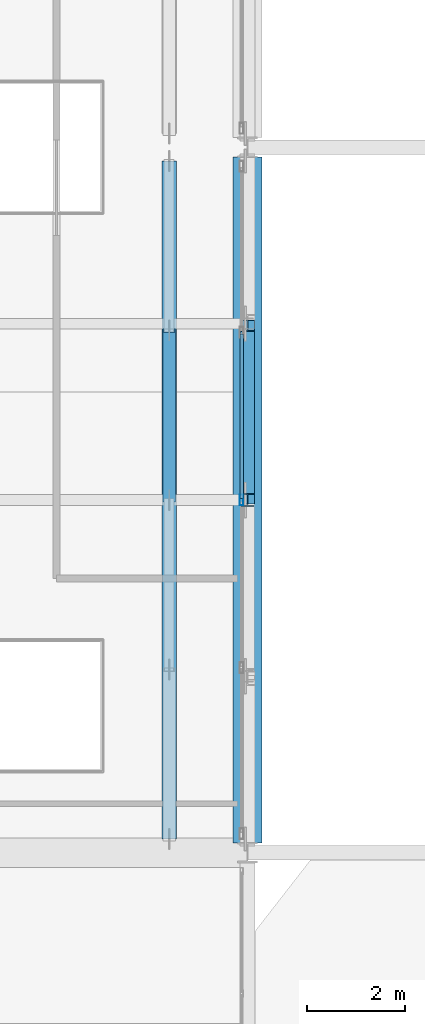
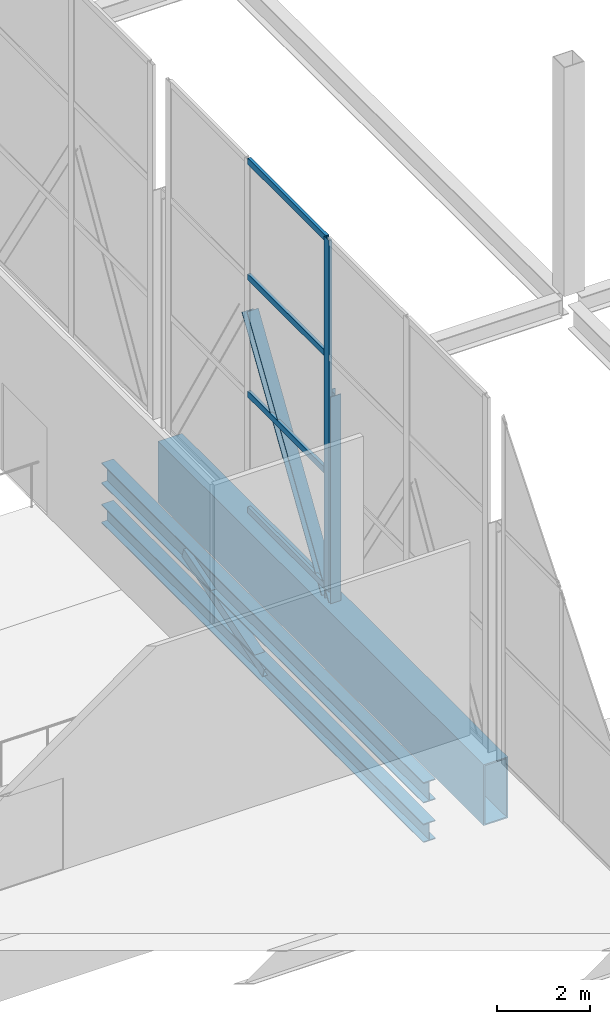
# One storey, part 56 of 191: 8 members, 3 beams, 1 element without a shape of its own.
"""IFC4 building model written with IfcOpenShell, lengths in metres."""

from ifc_helpers import new_model, si_unit, direction, frame, origin, origin_2d, place, context, subcontext, project, spatial, hollow_rectangle, i_section, extrude, material, layer, layer_set, material_profile, profile_set, type_object, element, aggregate, save


model = new_model("IFC4")

# Units and contexts
model_context = context("Model", 3, precision=1e-05, world=origin(), true_north=direction((0.0, 1.0)))
body_context = subcontext(model_context, "Body", "Model", "MODEL_VIEW")
ifc_project = project(units=[si_unit("LENGTHUNIT", "METRE"), si_unit("AREAUNIT", "SQUARE_METRE"), si_unit("VOLUMEUNIT", "CUBIC_METRE"), si_unit("PLANEANGLEUNIT", "RADIAN"), si_unit("MASSUNIT", "GRAM", prefix="KILO")], contexts=[model_context])

# Site, building, storey
site_placement = place(None, origin())
site = spatial("IfcSite", under=ifc_project, at=site_placement, CompositionType="ELEMENT")
building_placement = place(site_placement, origin())
building = spatial("IfcBuilding", under=site, at=building_placement, Name="Tamarisk Ironworks Central Station", CompositionType="ELEMENT")
storey_placement = place(building_placement, frame((0.0, 0.0, 6.60009765625)))
storey = spatial("IfcBuildingStorey", under=building, at=storey_placement, Name="L01", CompositionType="ELEMENT", Elevation=6.60009765625)

# Beams
ifc_material_1 = material(Name="Structural steel S355J2", Category="steel")
ifc_material_profile_1 = material_profile(ifc_material_1, i_section(OverallWidth=0.300048828125, OverallDepth=0.5400390625, WebThickness=0.012451171875, FlangeThickness=0.02392578125, at=origin_2d()), Name="HEA 550")
ifc_profile_set_1 = profile_set([ifc_material_profile_1], Name="Structural steel S355J2")
beam_type_1 = type_object("IfcBeamType", Name="BM-G04", PredefinedType="BEAM", material=ifc_profile_set_1)
beam_1_placement = place(storey_placement, frame((106.39990234375, 21.8798828125, -0.580078125), z_axis=(0.0, 1.0, 0.0), x_axis=(-1.0, 0.0, 0.0)))
element("IfcBeam", 1, at=beam_1_placement, inside=storey, type_object=beam_type_1, Name="Bridge deck transfer stiffening chord 186", PredefinedType="BEAM", context=body_context, shape_type="SweptSolid", body=[
    extrude(i_section(OverallWidth=0.300048828125, OverallDepth=0.5400390625, WebThickness=0.012451171875, FlangeThickness=0.02392578125, at=origin_2d()), origin(), (0.0, 0.0, 1.0), 13.840087890625),
])
ifc_material_profile_2 = material_profile(ifc_material_1, i_section(OverallWidth=0.300048828125, OverallDepth=0.489990234375, WebThickness=0.011962890625, FlangeThickness=0.02294921875, at=origin_2d()), Name="HEA 500")
ifc_profile_set_2 = profile_set([ifc_material_profile_2], Name="Structural steel S355J2")
beam_type_2 = type_object("IfcBeamType", Name="BM-G05", PredefinedType="BEAM", material=ifc_profile_set_2)
beam_2_placement = place(storey_placement, frame((106.39990234375, 21.8798828125, -1.64013671875), z_axis=(0.0, 1.0, 0.0), x_axis=(-1.0, 0.0, 0.0)))
element("IfcBeam", 2, at=beam_2_placement, inside=storey, type_object=beam_type_2, Name="Bridge deck transfer stiffening chord 185", PredefinedType="BEAM", context=body_context, shape_type="SweptSolid", body=[
    extrude(i_section(OverallWidth=0.300048828125, OverallDepth=0.489990234375, WebThickness=0.011962890625, FlangeThickness=0.02294921875, at=origin_2d()), origin(), (0.0, 0.0, 1.0), 13.840087890625),
])
ifc_material_profile_3 = material_profile(ifc_material_1, hollow_rectangle(XDim=0.60009765625, YDim=1.60009765625, WallThickness=0.031982421875, at=origin_2d()), Name="BOX 600x1600x32")
ifc_profile_set_3 = profile_set([ifc_material_profile_3], Name="Structural steel S355J2")
beam_type_3 = type_object("IfcBeamType", Name="BM-TG01", PredefinedType="USERDEFINED", material=ifc_profile_set_3)
beam_3_placement = place(storey_placement, frame((108.0, 21.800537109375, -1.10009765625), z_axis=(0.0, 1.0, 0.0), x_axis=(-1.0, 0.0, 0.0)))
element("IfcBeam", 3, at=beam_3_placement, inside=storey, type_object=beam_type_3, Name="L01 primary girder Y-0232", ObjectType="TRANSFER GIRDER", PredefinedType="USERDEFINED", context=body_context, shape_type="SweptSolid", body=[
    extrude(hollow_rectangle(XDim=0.60009765625, YDim=1.60009765625, WallThickness=0.031982421875, at=origin_2d()), origin(), (0.0, 0.0, 1.0), 13.9990234375),
])

# Curtain wall, members
ifc_material_2 = material(Name="Anodized aluminium alloy 6063-T6", Category="aluminium")
ifc_layer = layer(ifc_material_2, 0.179931640625)
ifc_layer_set = layer_set([ifc_layer], Name="Anodized aluminium alloy 6063-T6")
curtain_wall_type = type_object("IfcCurtainWallType", Name="CW-06", PredefinedType="USERDEFINED", material=ifc_layer_set)
curtain_wall_placement = place(storey_placement, origin())
curtain_wall = element("IfcCurtainWall", 4, at=curtain_wall_placement, inside=storey, type_object=curtain_wall_type, Name="Concourse E track-overlook curtain wall 02", ObjectType="GLAZED CURTAIN WALL", PredefinedType="USERDEFINED")
ifc_material_profile_4 = material_profile(ifc_material_2, hollow_rectangle(XDim=0.074951171875, YDim=0.219970703125, WallThickness=0.00390625, at=origin_2d()), Name="ALUM 220x75")
ifc_profile_set_4 = profile_set([ifc_material_profile_4], Name="Anodized aluminium alloy 6063-T6")
member_type_1 = type_object("IfcMemberType", Name="CWM-01", PredefinedType="MULLION", material=ifc_profile_set_4)
member_1_placement = place(storey_placement, frame((107.8798828125, 28.800048828125, 0.0), z_axis=(0.0, 0.0, 1.0), x_axis=(-1.0, 0.0, 0.0)))
member_1 = element("IfcMember", 5, at=member_1_placement, type_object=member_type_1, Name="CW06 mullion 3", PredefinedType="MULLION", context=body_context, shape_type="SweptSolid", body=[
    extrude(hollow_rectangle(XDim=0.074951171875, YDim=0.219970703125, WallThickness=0.00390625, at=origin_2d()), origin(), (0.0, 0.0, 1.0), 9.219970703125),
])
ifc_material_profile_5 = material_profile(ifc_material_2, hollow_rectangle(XDim=0.074951171875, YDim=0.159912109375, WallThickness=0.00390625, at=origin_2d()), Name="ALUM 160x75")
ifc_profile_set_5 = profile_set([ifc_material_profile_5], Name="Anodized aluminium alloy 6063-T6")
member_type_2 = type_object("IfcMemberType", Name="CWT-01", PredefinedType="USERDEFINED", material=ifc_profile_set_5)
member_2_placement = place(storey_placement, frame((107.8798828125, 28.83349609375, 0.037353515625), z_axis=(0.0, 1.0, 0.0), x_axis=(-1.0, 0.0, 0.0)))
member_2 = element("IfcMember", 6, at=member_2_placement, type_object=member_type_2, Name="CW06 transom 3.1", ObjectType="TRANSOM", PredefinedType="USERDEFINED", context=body_context, shape_type="SweptSolid", body=[
    extrude(hollow_rectangle(XDim=0.074951171875, YDim=0.159912109375, WallThickness=0.00390625, at=origin_2d()), origin(), (0.0, 0.0, 1.0), 3.35791015625),
])
member_3_placement = place(storey_placement, frame((107.8798828125, 28.83349609375, 3.0732421875), z_axis=(0.0, 1.0, 0.0), x_axis=(-1.0, 0.0, 0.0)))
member_3 = element("IfcMember", 7, at=member_3_placement, type_object=member_type_2, Name="CW06 transom 3.2", ObjectType="TRANSOM", PredefinedType="USERDEFINED", context=body_context, shape_type="SweptSolid", body=[
    extrude(hollow_rectangle(XDim=0.074951171875, YDim=0.159912109375, WallThickness=0.00390625, at=origin_2d()), origin(), (0.0, 0.0, 1.0), 3.35791015625),
])
member_4_placement = place(storey_placement, frame((107.8798828125, 28.83349609375, 6.146484375), z_axis=(0.0, 1.0, 0.0), x_axis=(-1.0, 0.0, 0.0)))
member_4 = element("IfcMember", 8, at=member_4_placement, type_object=member_type_2, Name="CW06 transom 3.3", ObjectType="TRANSOM", PredefinedType="USERDEFINED", context=body_context, shape_type="SweptSolid", body=[
    extrude(hollow_rectangle(XDim=0.074951171875, YDim=0.159912109375, WallThickness=0.00390625, at=origin_2d()), origin(), (0.0, 0.0, 1.0), 3.35791015625),
])
member_5_placement = place(storey_placement, frame((107.8798828125, 28.83349609375, 9.182373046875), z_axis=(0.0, 1.0, 0.0), x_axis=(-1.0, 0.0, 0.0)))
member_5 = element("IfcMember", 9, at=member_5_placement, type_object=member_type_2, Name="CW06 transom 3.4", ObjectType="TRANSOM", PredefinedType="USERDEFINED", context=body_context, shape_type="SweptSolid", body=[
    extrude(hollow_rectangle(XDim=0.074951171875, YDim=0.159912109375, WallThickness=0.00390625, at=origin_2d()), origin(), (0.0, 0.0, 1.0), 3.35791015625),
])
aggregate(curtain_wall, [member_1, member_2, member_3, member_4, member_5])

# Members
ifc_material_3 = material(Name="Structural steel S355J2H", Category="steel")
ifc_material_profile_6 = material_profile(ifc_material_3, hollow_rectangle(XDim=0.25, YDim=0.25, WallThickness=0.012451171875, at=origin_2d()), Name="SHS 250x250x12.5")
ifc_profile_set_6 = profile_set([ifc_material_profile_6], Name="Structural steel S355J2H")
member_type_3 = type_object("IfcMemberType", Name="MB-BR01", PredefinedType="BRACE", material=ifc_profile_set_6)
member_6_placement = place(storey_placement, frame((106.39990234375, 28.800048828125, -1.64013671875), z_axis=(0.0, 0.956131332595, 0.292938346467), x_axis=(-1.0, 0.0, 0.0)))
element("IfcMember", 10, at=member_6_placement, inside=storey, type_object=member_type_3, Name="Bridge deck stiffening web brace 189", PredefinedType="BRACE", context=body_context, shape_type="SweptSolid", body=[
    extrude(hollow_rectangle(XDim=0.25, YDim=0.25, WallThickness=0.012451171875, at=origin_2d()), origin(), (0.0, 0.0, 1.0), 3.61865234375),
])
ifc_material_profile_7 = material_profile(ifc_material_1, i_section(OverallWidth=0.280029296875, OverallDepth=0.280029296875, WebThickness=0.010498046875, FlangeThickness=0.01806640625, at=origin_2d()), Name="HEB 280")
ifc_profile_set_7 = profile_set([ifc_material_profile_7], Name="Structural steel S355J2")
member_type_4 = type_object("IfcMemberType", Name="MB-TTD02", PredefinedType="BRACE", material=ifc_profile_set_7)
member_7_placement = place(storey_placement, frame((108.0, 28.840087890625, -0.380126953125), z_axis=(0.0, 0.539055818311, 0.842270042649), x_axis=(-1.0, 0.0, 0.0)))
element("IfcMember", 11, at=member_7_placement, inside=storey, type_object=member_type_4, Name="Transfer truss diagonal 088", PredefinedType="BRACE", context=body_context, shape_type="SweptSolid", body=[
    extrude(i_section(OverallWidth=0.280029296875, OverallDepth=0.280029296875, WebThickness=0.010498046875, FlangeThickness=0.01806640625, at=origin_2d()), origin(), (0.0, 0.0, 1.0), 6.530029296875),
])
ifc_material_profile_8 = material_profile(ifc_material_1, i_section(OverallWidth=0.260009765625, OverallDepth=0.260009765625, WebThickness=0.010009765625, FlangeThickness=0.017578125, at=origin_2d()), Name="HEB 260")
ifc_profile_set_8 = profile_set([ifc_material_profile_8], Name="Structural steel S355J2")
member_type_5 = type_object("IfcMemberType", Name="MB-TTP01", PredefinedType="POST", material=ifc_profile_set_8)
member_8_placement = place(storey_placement, frame((108.0, 28.800048828125, -0.340087890625), z_axis=(0.0, 0.0, 1.0), x_axis=(1.0, 0.0, 0.0)))
element("IfcMember", 12, at=member_8_placement, inside=storey, type_object=member_type_5, Name="Transfer truss vertical post 089", PredefinedType="POST", context=body_context, shape_type="SweptSolid", body=[
    extrude(i_section(OverallWidth=0.260009765625, OverallDepth=0.260009765625, WebThickness=0.010009765625, FlangeThickness=0.017578125, at=origin_2d()), origin(), (0.0, 0.0, 1.0), 5.4599609375),
])

save(model, "model.ifc")
